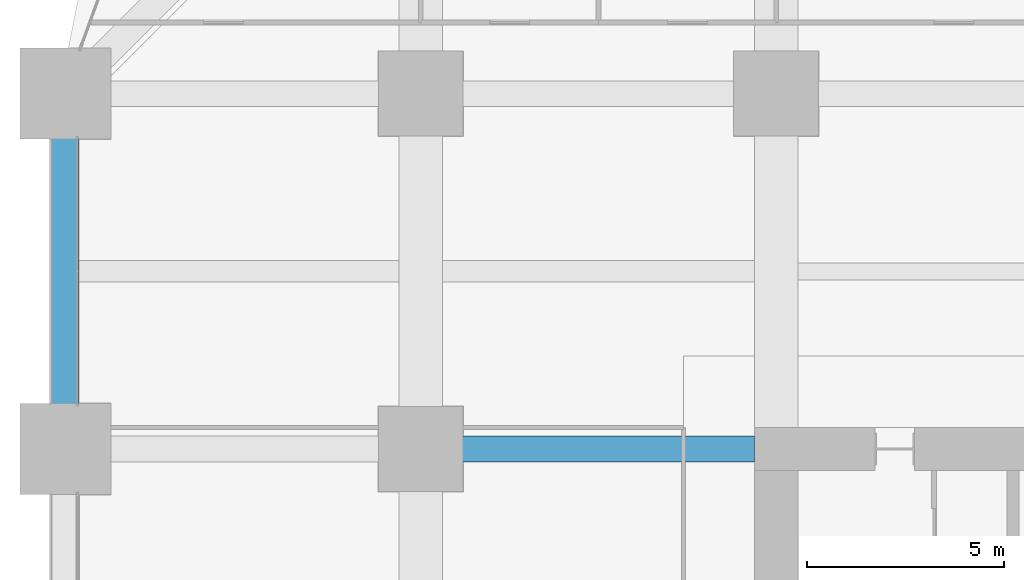
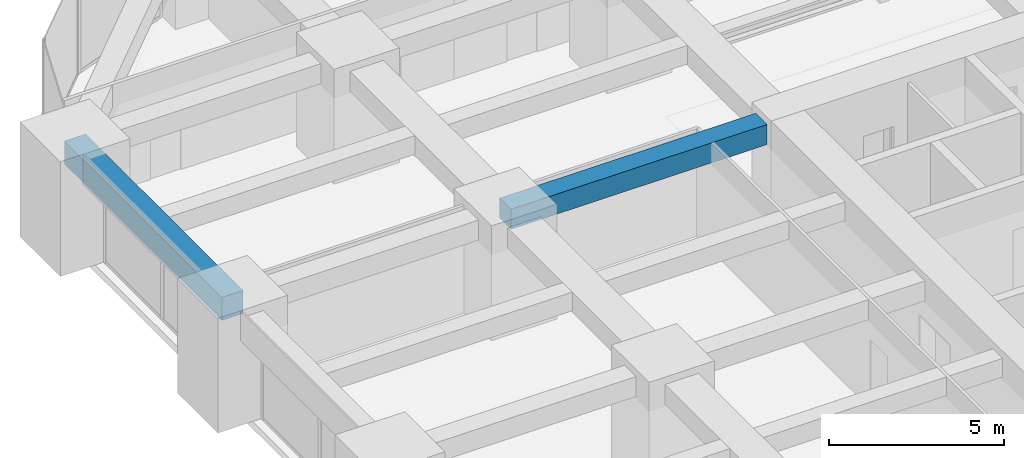
# One storey, part 24 of 44: 2 beams.
"""IFC4 building model written with IfcOpenShell, lengths in metres."""

import ifcopenshell
import ifcopenshell.guid

model = None  # the IFC model being written
_history = None  # IfcOwnerHistory: only IFC2X3 demands one
_inside = {}  # id of a spatial element -> (the spatial element, [elements in it])
_under = {}  # id of a project, library or spatial element -> (it, [spatial elements below it])
_declared = {}  # id of a project -> (the project, [libraries it declares])
_typed = {}  # id of a type object -> (the type object, [elements of that type])
_made_of = {}  # id of a material, layer set ... -> (it, [elements and type objects made of it])


def new_model(schema):
    """Start an empty IFC model of exactly this schema.

    Asked for "IFC4X3", IfcOpenShell would pick the latest addendum, in which some entities
    have other attributes; the version numbers below select the first issue.
    IFC2X3 requires an IfcOwnerHistory on every rooted entity: one is made here for all.
    """
    global model, _history
    if schema == "IFC4X3":
        model = ifcopenshell.file(schema_version=(4, 3, 0, 0))
    else:
        model = ifcopenshell.file(schema=schema)
    _inside.clear()
    _under.clear()
    _declared.clear()
    _typed.clear()
    _made_of.clear()
    _history = None
    if model.schema == "IFC2X3":
        org = make("IfcOrganization", Name="unknown")
        user = make(
            "IfcPersonAndOrganization",
            ThePerson=make("IfcPerson", FamilyName="unknown"),
            TheOrganization=org,
        )
        app = make(
            "IfcApplication",
            ApplicationDeveloper=org,
            Version="unknown",
            ApplicationFullName="unknown",
            ApplicationIdentifier="unknown",
        )
        _history = make(
            "IfcOwnerHistory",
            OwningUser=user,
            OwningApplication=app,
            ChangeAction="ADDED",
            CreationDate=0,
        )
    return model


def make(cls, **values):
    """One entity of the class cls with the attributes given. An attribute that is None is left unset."""
    return model.create_entity(
        cls, **{name: value for name, value in values.items() if value is not None}
    )


def rooted(cls, **values):
    """An entity with a GlobalId (a new one), such as an element, a storey or a relation."""
    return make(cls, GlobalId=ifcopenshell.guid.new(), OwnerHistory=_history, **values)


def si_unit(unit_type, name, prefix=None):
    """IfcSIUnit, for example si_unit("LENGTHUNIT", "METRE", prefix="MILLI")."""
    return make("IfcSIUnit", UnitType=unit_type, Prefix=prefix, Name=name)


def assignment(units):
    """IfcUnitAssignment: the units of a project."""
    return None if units is None else make("IfcUnitAssignment", Units=units)


def point(xyz):
    """IfcCartesianPoint."""
    return None if xyz is None else make("IfcCartesianPoint", Coordinates=xyz)


def direction(xyz):
    """IfcDirection."""
    return None if xyz is None else make("IfcDirection", DirectionRatios=xyz)


def frame(location, z_axis=None, x_axis=None):
    """IfcAxis2Placement3D, a coordinate frame: its origin and axes. An axis left out is left unset."""
    return make(
        "IfcAxis2Placement3D",
        Location=point(location),
        Axis=direction(z_axis),
        RefDirection=direction(x_axis),
    )


def frame_2d(location, x_axis=None):
    """IfcAxis2Placement2D, a coordinate frame in the plane: its origin and x axis."""
    return make(
        "IfcAxis2Placement2D", Location=point(location), RefDirection=direction(x_axis)
    )


def origin():
    """The frame at (0, 0, 0) with its axes left unset."""
    return frame((0.0, 0.0, 0.0))


def origin_2d():
    """The frame at (0, 0) in the plane with its x axis left unset."""
    return frame_2d((0.0, 0.0))


def place(relative_to, where):
    """IfcLocalPlacement: puts the frame where relative to a parent placement (None: the world)."""
    return make(
        "IfcLocalPlacement", PlacementRelTo=relative_to, RelativePlacement=where
    )


def context(
    kind, dimensions, precision=None, world=None, true_north=None, identifier=None
):
    """IfcGeometricRepresentationContext, for example the 3D "Model" context."""
    return make(
        "IfcGeometricRepresentationContext",
        ContextIdentifier=identifier,
        ContextType=kind,
        CoordinateSpaceDimension=dimensions,
        Precision=precision,
        WorldCoordinateSystem=world,
        TrueNorth=true_north,
    )


def subcontext(parent, identifier, kind, view, scale=None):
    """IfcGeometricRepresentationSubContext, for example "Body" below "Model"."""
    return make(
        "IfcGeometricRepresentationSubContext",
        ContextIdentifier=identifier,
        ContextType=kind,
        ParentContext=parent,
        TargetScale=scale,
        TargetView=view,
    )


def project(units=None, contexts=None):
    """IfcProject with its units and contexts."""
    return rooted(
        "IfcProject",
        Name="project",
        RepresentationContexts=contexts,
        UnitsInContext=assignment(units),
    )


def spatial(cls, under=None, at=None, **own):
    """A site, building, storey or space (cls), placed at a placement, below another one or the project."""
    s = rooted(cls, ObjectPlacement=at, **own)
    if under is not None:
        _under.setdefault(under.id(), (under, []))[1].append(s)
    return s


def profile(cls, at=None, kind="AREA", **sizes):
    """A parametric profile (cls). Its sizes go by their IFC names, for example OverallWidth=200.0."""
    return make(cls, ProfileType=kind, Position=at, **sizes)


def rectangle(**sizes):
    """IfcRectangleProfileDef."""
    return profile("IfcRectangleProfileDef", **sizes)


def extrude(swept, where, along, depth):
    """IfcExtrudedAreaSolid: the profile swept, set in the frame where, extruded along a direction by depth."""
    return make(
        "IfcExtrudedAreaSolid",
        SweptArea=swept,
        Position=where,
        ExtrudedDirection=direction(along),
        Depth=depth,
    )


def shape(context_of_items, identifier, shape_type, items):
    """IfcShapeRepresentation: the items that make up one representation, for example the "Body"."""
    return make(
        "IfcShapeRepresentation",
        ContextOfItems=context_of_items,
        RepresentationIdentifier=identifier,
        RepresentationType=shape_type,
        Items=items,
    )


def material(Name=None, Category=None):
    """IfcMaterial."""
    return make("IfcMaterial", Name=Name, Category=Category)


def material_profile(
    of_material, cross_section, Name=None, Category=None, Priority=None
):
    """IfcMaterialProfile: a cross section and its material."""
    return make(
        "IfcMaterialProfile",
        Name=Name,
        Material=of_material,
        Profile=cross_section,
        Priority=Priority,
        Category=Category,
    )


def profile_set(profiles, Name=None, composite=None):
    """IfcMaterialProfileSet."""
    return make(
        "IfcMaterialProfileSet",
        Name=Name,
        MaterialProfiles=profiles,
        CompositeProfile=composite,
    )


def made_of(thing, what):
    """Note that an element or type object is made of a material, layer set ...; save() writes the relation."""
    if what is not None:
        _made_of.setdefault(what.id(), (what, []))[1].append(thing)
    return thing


def type_object(cls, material=None, **own):
    """A type object (cls), such as IfcWallType, which elements share."""
    return made_of(rooted(cls, **own), material)


def element(
    cls,
    number,
    at=None,
    inside=None,
    cuts=None,
    type_object=None,
    material=None,
    context=None,
    identifier="Body",
    shape_type=None,
    held_by="IfcProductDefinitionShape",
    body=None,
    shapes=None,
    **own,
):
    """One element of the class cls, such as IfcWall. Its Tag is "e" and its number.

    at: its placement. inside: the storey or other place that contains it. cuts: it is an
    opening in that element (IfcRelVoidsElement). A single representation is given by context,
    identifier, shape_type and body (its items); several are given by shapes. held_by: the class
    of the entity that holds the representations. save() writes the other relations.
    """
    e = rooted(cls, Tag="e%d" % number, ObjectPlacement=at, **own)
    if body is not None:
        shapes = [shape(context, identifier, shape_type, body)]
    if shapes is not None:
        e.Representation = make(held_by, Representations=shapes)
    if inside is not None:
        _inside.setdefault(inside.id(), (inside, []))[1].append(e)
    if cuts is not None:
        rooted(
            "IfcRelVoidsElement", RelatingBuildingElement=cuts, RelatedOpeningElement=e
        )
    if type_object is not None:
        _typed.setdefault(type_object.id(), (type_object, []))[1].append(e)
    return made_of(e, material)


def aggregate(whole, parts):
    """IfcRelAggregates: a whole, such as a stair, and the parts it consists of."""
    return rooted("IfcRelAggregates", RelatingObject=whole, RelatedObjects=parts)


def save(model, path):
    """Write the relations noted so far, then the file.

    IfcRelAggregates (storeys below a building ...), IfcRelContainedInSpatialStructure (elements
    in a storey), IfcRelDefinesByType, IfcRelAssociatesMaterial and IfcRelDeclares: one each for
    every whole, place, type object, material and project.
    """
    for whole, parts in _under.values():
        aggregate(whole, parts)
    for where, things in _inside.values():
        rooted(
            "IfcRelContainedInSpatialStructure",
            RelatedElements=things,
            RelatingStructure=where,
        )
    for kind, things in _typed.values():
        rooted("IfcRelDefinesByType", RelatedObjects=things, RelatingType=kind)
    for what, things in _made_of.values():
        rooted("IfcRelAssociatesMaterial", RelatedObjects=things, RelatingMaterial=what)
    for by, libraries in _declared.values():
        rooted("IfcRelDeclares", RelatingContext=by, RelatedDefinitions=libraries)
    model.write(path)


model = new_model("IFC4")

# Units and contexts
model_context = context("Model", 3, precision=1e-05, world=origin(), true_north=direction((0.0, 1.0)))
body_context = subcontext(model_context, "Body", "Model", "MODEL_VIEW")
ifc_project = project(units=[si_unit("LENGTHUNIT", "METRE"), si_unit("AREAUNIT", "SQUARE_METRE"), si_unit("VOLUMEUNIT", "CUBIC_METRE"), si_unit("PLANEANGLEUNIT", "RADIAN"), si_unit("MASSUNIT", "GRAM", prefix="KILO")], contexts=[model_context])

# Site, building, storey
site_placement = place(None, origin())
site = spatial("IfcSite", under=ifc_project, at=site_placement, CompositionType="ELEMENT")
building_placement = place(site_placement, origin())
building = spatial("IfcBuilding", under=site, at=building_placement, Name="Zorevar Civic Tower", CompositionType="ELEMENT")
storey_placement = place(building_placement, frame((0.0, 0.0, 59.800048828125)))
storey = spatial("IfcBuildingStorey", under=building, at=storey_placement, Name="L14", CompositionType="ELEMENT", Elevation=59.800048828125)

# Beams
ifc_material_1 = material(Name="Concrete C50/60", Category="concrete")
ifc_material_profile_1 = material_profile(ifc_material_1, rectangle(XDim=0.64990234375, YDim=0.699951171875, at=origin_2d()), Name="RC 650x700")
ifc_profile_set_1 = profile_set([ifc_material_profile_1], Name="Concrete C50/60")
beam_type_1 = type_object("IfcBeamType", Name="Beam RC 650x700", PredefinedType="BEAM", material=ifc_profile_set_1)
beam_1_placement = place(storey_placement, frame((9.0, 36.0, 3.39990234375), z_axis=(1.0, 0.0, 0.0), x_axis=(0.0, 1.0, 0.0)))
element("IfcBeam", 1, at=beam_1_placement, inside=storey, type_object=beam_type_1, Name="Girder L15", PredefinedType="BEAM", context=body_context, shape_type="SweptSolid", body=[
    extrude(rectangle(XDim=0.64990234375, YDim=0.699951171875, at=origin_2d()), origin(), (0.0, 0.0, 1.0), 8.449951171875),
])
ifc_material_2 = material(Name="Concrete C50/60", Category="concrete")
ifc_material_profile_2 = material_profile(ifc_material_2, rectangle(XDim=0.699951171875, YDim=0.800048828125, at=origin_2d()), Name="RC 700x800")
ifc_profile_set_2 = profile_set([ifc_material_profile_2], Name="Concrete C50/60")
beam_type_2 = type_object("IfcBeamType", Name="Edge beam RC 700x800", PredefinedType="SPANDREL", material=ifc_profile_set_2)
beam_2_placement = place(storey_placement, frame((0.0, 36.0, 3.349853515625), z_axis=(0.0, 1.0, 0.0), x_axis=(-1.0, 0.0, 0.0)))
element("IfcBeam", 2, at=beam_2_placement, inside=storey, type_object=beam_type_2, Name="Edge beam L15", PredefinedType="SPANDREL", context=body_context, shape_type="SweptSolid", body=[
    extrude(rectangle(XDim=0.699951171875, YDim=0.800048828125, at=origin_2d()), origin(), (0.0, 0.0, 1.0), 9.0),
])

save(model, "model.ifc")
